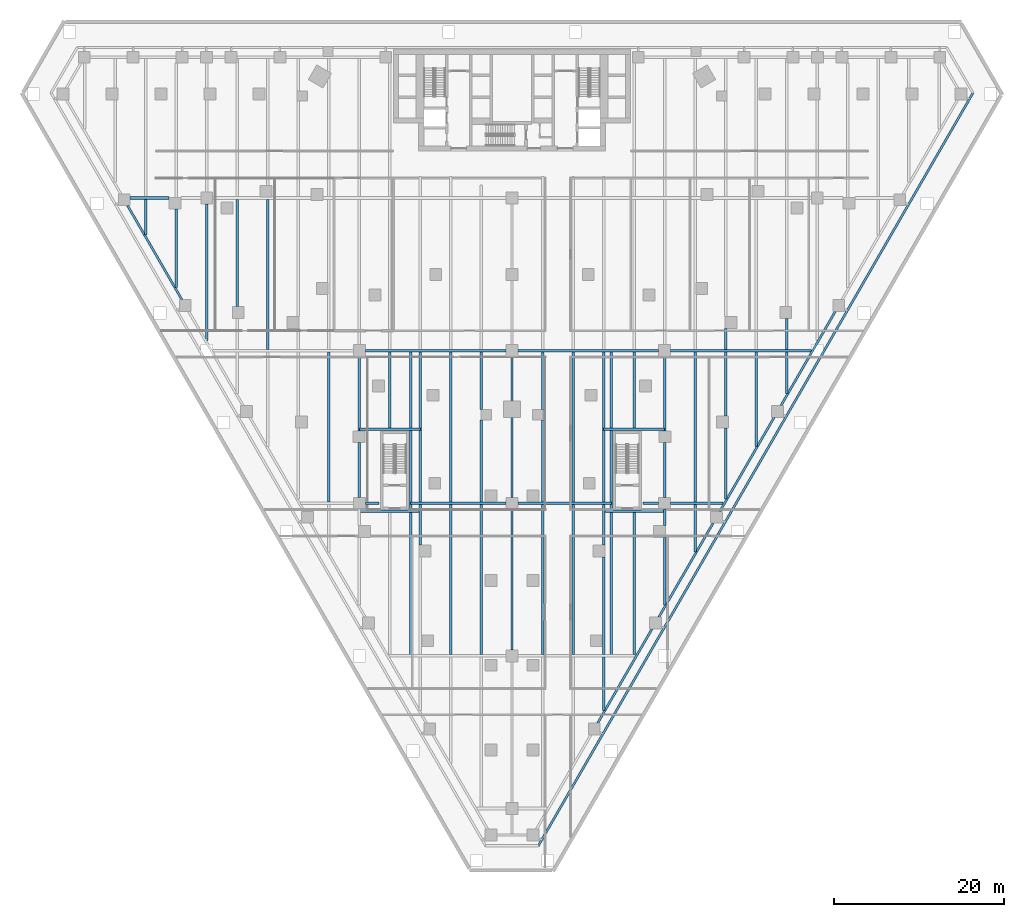
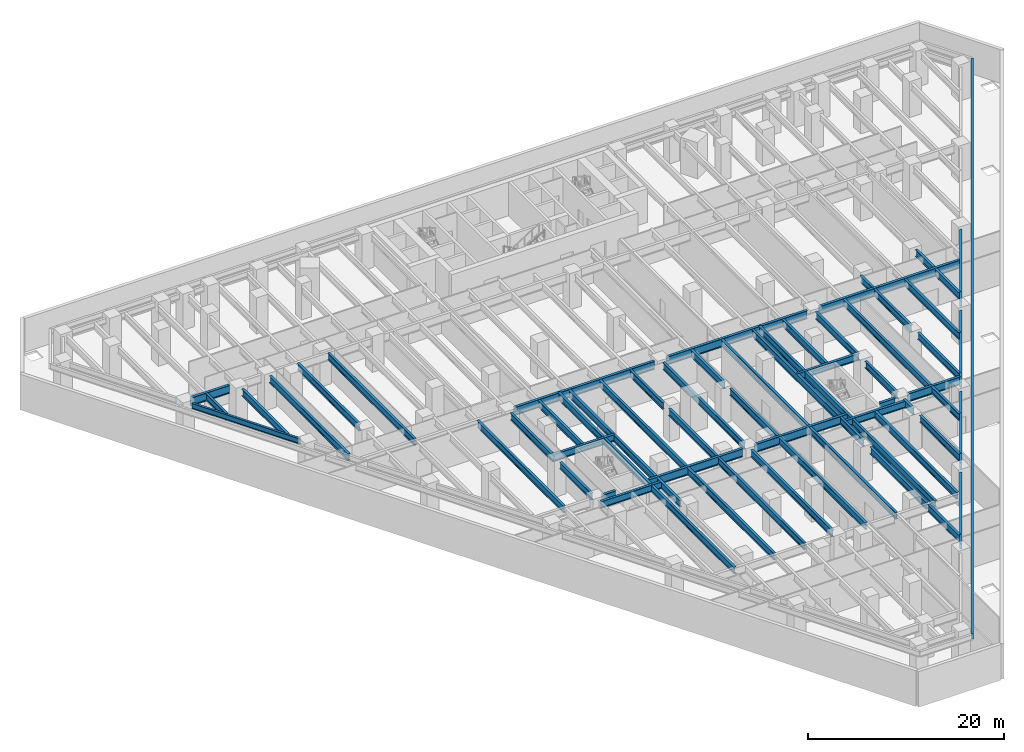
# One storey, part 2 of 20: 62 beams.
"""IFC4 building model written with IfcOpenShell, lengths in metres."""

from ifc_helpers import new_model, si_unit, direction, frame, origin, origin_2d, place, context, subcontext, project, spatial, i_section, extrude, material, material_profile, profile_set, type_object, element, save


model = new_model("IFC4")

# Units and contexts
model_context = context("Model", 3, precision=1e-05, world=origin(), true_north=direction((0.0, 1.0)))
body_context = subcontext(model_context, "Body", "Model", "MODEL_VIEW")
ifc_project = project(units=[si_unit("LENGTHUNIT", "METRE"), si_unit("AREAUNIT", "SQUARE_METRE"), si_unit("VOLUMEUNIT", "CUBIC_METRE"), si_unit("PLANEANGLEUNIT", "RADIAN"), si_unit("MASSUNIT", "GRAM", prefix="KILO")], contexts=[model_context])

# Site, building, storey
site_placement = place(None, origin())
site = spatial("IfcSite", under=ifc_project, at=site_placement, CompositionType="ELEMENT")
building_placement = place(site_placement, origin())
building = spatial("IfcBuilding", under=site, at=building_placement, Name="Aloe Facet Convention Tower", CompositionType="ELEMENT")
storey_placement = place(building_placement, frame((0.0, 0.0, -4.5)))
storey = spatial("IfcBuildingStorey", under=building, at=storey_placement, Name="B1", CompositionType="ELEMENT", Elevation=-4.5)

# Beams
ifc_material_1 = material(Name="Steel S355", Category="steel")
ifc_material_profile_1 = material_profile(ifc_material_1, i_section(OverallWidth=0.25439453125, OverallDepth=0.6875, WebThickness=0.01318359375, FlangeThickness=0.02099609375, FilletRadius=0.01513671875, at=origin_2d()), Name="UB 686x254x152")
ifc_profile_set_1 = profile_set([ifc_material_profile_1], Name="Steel S355")
beam_type_1 = type_object("IfcBeamType", Name="EV-EB-UB686x254x152", PredefinedType="BEAM", material=ifc_profile_set_1)
beam_1_placement = place(storey_placement, frame((83.10498046875, 40.598876953125, 3.856201171875), z_axis=(0.500002624191, 0.866023888702, 0.0), x_axis=(-0.866023888702, 0.500002624191, 0.0)))
element("IfcBeam", 1, at=beam_1_placement, inside=storey, type_object=beam_type_1, Name="EB-L00-E", PredefinedType="BEAM", context=body_context, shape_type="SweptSolid", body=[
    extrude(i_section(OverallWidth=0.25439453125, OverallDepth=0.6875, WebThickness=0.01318359375, FlangeThickness=0.02099609375, FilletRadius=0.01513671875, at=origin_2d()), origin(), (0.0, 0.0, 1.0), 102.53515625),
])
ifc_material_2 = material(Name="Steel S355", Category="steel")
ifc_material_profile_2 = material_profile(ifc_material_2, i_section(OverallWidth=0.305419921875, OverallDepth=1.02587890625, WebThickness=0.02001953125, FlangeThickness=0.031005859375, FilletRadius=0.030029296875, at=origin_2d()), Name="UB 1016x305x349")
ifc_profile_set_2 = profile_set([ifc_material_profile_2], Name="Steel S355")
beam_type_2 = type_object("IfcBeamType", Name="SF-B-UB1016x305x349", PredefinedType="BEAM", material=ifc_profile_set_2)
beam_2_placement = place(storey_placement, frame((34.9580078125, 117.0, 3.68701171875), z_axis=(1.0, 0.0, 0.0), x_axis=(0.0, 1.0, 0.0)))
element("IfcBeam", 2, at=beam_2_placement, inside=storey, type_object=beam_type_2, Name="Floor beam FB-L00-030", PredefinedType="BEAM", context=body_context, shape_type="SweptSolid", body=[
    extrude(i_section(OverallWidth=0.305419921875, OverallDepth=1.02587890625, WebThickness=0.02001953125, FlangeThickness=0.031005859375, FilletRadius=0.030029296875, at=origin_2d()), origin(), (0.0, 0.0, 1.0), 4.612060546875),
])
beam_3_placement = place(storey_placement, frame((62.699951171875, 81.0, 3.68701171875), z_axis=(1.0, 0.0, 0.0), x_axis=(0.0, 1.0, 0.0)))
element("IfcBeam", 3, at=beam_3_placement, inside=storey, type_object=beam_type_2, Name="Floor beam FB-L00-036", PredefinedType="BEAM", context=body_context, shape_type="SweptSolid", body=[
    extrude(i_section(OverallWidth=0.305419921875, OverallDepth=1.02587890625, WebThickness=0.02001953125, FlangeThickness=0.031005859375, FilletRadius=0.030029296875, at=origin_2d()), origin(), (0.0, 0.0, 1.0), 1.60009765625),
])
beam_4_placement = place(storey_placement, frame((62.699951171875, 99.0, 3.68701171875), z_axis=(1.0, 0.0, 0.0), x_axis=(0.0, 1.0, 0.0)))
element("IfcBeam", 4, at=beam_4_placement, inside=storey, type_object=beam_type_2, Name="Floor beam FB-L00-037", PredefinedType="BEAM", context=body_context, shape_type="SweptSolid", body=[
    extrude(i_section(OverallWidth=0.305419921875, OverallDepth=1.02587890625, WebThickness=0.02001953125, FlangeThickness=0.031005859375, FilletRadius=0.030029296875, at=origin_2d()), origin(), (0.0, 0.0, 1.0), 16.60009765625),
])
beam_5_placement = place(storey_placement, frame((68.050048828125, 81.0, 3.68701171875), z_axis=(1.0, 0.0, 0.0), x_axis=(0.0, 1.0, 0.0)))
element("IfcBeam", 5, at=beam_5_placement, inside=storey, type_object=beam_type_2, Name="Floor beam FB-L00-039", PredefinedType="BEAM", context=body_context, shape_type="SweptSolid", body=[
    extrude(i_section(OverallWidth=0.305419921875, OverallDepth=1.02587890625, WebThickness=0.02001953125, FlangeThickness=0.031005859375, FilletRadius=0.030029296875, at=origin_2d()), origin(), (0.0, 0.0, 1.0), 11.25),
])
beam_6_placement = place(storey_placement, frame((80.699951171875, 81.0, 3.68701171875), z_axis=(1.0, 0.0, 0.0), x_axis=(0.0, 1.0, 0.0)))
element("IfcBeam", 6, at=beam_6_placement, inside=storey, type_object=beam_type_2, Name="Floor beam FB-L00-043", PredefinedType="BEAM", context=body_context, shape_type="SweptSolid", body=[
    extrude(i_section(OverallWidth=0.305419921875, OverallDepth=1.02587890625, WebThickness=0.02001953125, FlangeThickness=0.031005859375, FilletRadius=0.030029296875, at=origin_2d()), origin(), (0.0, 0.0, 1.0), 11.025146484375),
])
beam_7_placement = place(storey_placement, frame((80.699951171875, 99.0, 3.68701171875), z_axis=(1.0, 0.0, 0.0), x_axis=(0.0, 1.0, 0.0)))
element("IfcBeam", 7, at=beam_7_placement, inside=storey, type_object=beam_type_2, Name="Floor beam FB-L00-044", PredefinedType="BEAM", context=body_context, shape_type="SweptSolid", body=[
    extrude(i_section(OverallWidth=0.305419921875, OverallDepth=1.02587890625, WebThickness=0.02001953125, FlangeThickness=0.031005859375, FilletRadius=0.030029296875, at=origin_2d()), origin(), (0.0, 0.0, 1.0), 16.60009765625),
])
beam_8_placement = place(storey_placement, frame((95.47509765625, 81.0, 3.68701171875), z_axis=(1.0, 0.0, 0.0), x_axis=(0.0, 1.0, 0.0)))
element("IfcBeam", 8, at=beam_8_placement, inside=storey, type_object=beam_type_2, Name="Floor beam FB-L00-046", PredefinedType="BEAM", context=body_context, shape_type="SweptSolid", body=[
    extrude(i_section(OverallWidth=0.305419921875, OverallDepth=1.02587890625, WebThickness=0.02001953125, FlangeThickness=0.031005859375, FilletRadius=0.030029296875, at=origin_2d()), origin(), (0.0, 0.0, 1.0), 1.824951171875),
])
beam_9_placement = place(storey_placement, frame((98.699951171875, 81.0, 3.68701171875), z_axis=(1.0, 0.0, 0.0), x_axis=(0.0, 1.0, 0.0)))
element("IfcBeam", 9, at=beam_9_placement, inside=storey, type_object=beam_type_2, Name="Floor beam FB-L00-047", PredefinedType="BEAM", context=body_context, shape_type="SweptSolid", body=[
    extrude(i_section(OverallWidth=0.305419921875, OverallDepth=1.02587890625, WebThickness=0.02001953125, FlangeThickness=0.031005859375, FilletRadius=0.030029296875, at=origin_2d()), origin(), (0.0, 0.0, 1.0), 6.217041015625),
])
beam_10_placement = place(storey_placement, frame((98.699951171875, 99.0, 3.68701171875), z_axis=(1.0, 0.0, 0.0), x_axis=(0.0, 1.0, 0.0)))
element("IfcBeam", 10, at=beam_10_placement, inside=storey, type_object=beam_type_2, Name="Floor beam FB-L00-048", PredefinedType="BEAM", context=body_context, shape_type="SweptSolid", body=[
    extrude(i_section(OverallWidth=0.305419921875, OverallDepth=1.02587890625, WebThickness=0.02001953125, FlangeThickness=0.031005859375, FilletRadius=0.030029296875, at=origin_2d()), origin(), (0.0, 0.0, 1.0), 16.609375),
])
ifc_material_3 = material(Name="Steel S355", Category="steel")
ifc_material_profile_3 = material_profile(ifc_material_3, i_section(OverallWidth=0.25439453125, OverallDepth=0.6875, WebThickness=0.01318359375, FlangeThickness=0.02099609375, FilletRadius=0.01513671875, at=origin_2d()), Name="UB 686x254x152")
ifc_profile_set_3 = profile_set([ifc_material_profile_3], Name="Steel S355")
beam_type_3 = type_object("IfcBeamType", Name="SF-B-UB686x254x152", PredefinedType="BEAM", material=ifc_profile_set_3)
beam_11_placement = place(storey_placement, frame((41.06201171875, 105.012939453125, 3.856201171875), z_axis=(-0.499987149722, 0.866032822769, 0.0), x_axis=(-0.866032822769, -0.499987149722, 0.0)))
element("IfcBeam", 11, at=beam_11_placement, inside=storey, type_object=beam_type_3, Name="Floor beam FB-L00-005", PredefinedType="BEAM", context=body_context, shape_type="SweptSolid", body=[
    extrude(i_section(OverallWidth=0.25439453125, OverallDepth=0.6875, WebThickness=0.01318359375, FlangeThickness=0.02099609375, FilletRadius=0.01513671875, at=origin_2d()), origin(), (0.0, 0.0, 1.0), 12.801025390625),
])
beam_12_placement = place(storey_placement, frame((96.50439453125, 66.156982421875, 3.856201171875), z_axis=(-0.499999833739, -0.866025499775, 0.0), x_axis=(0.866025499775, -0.499999833739, 0.0)))
element("IfcBeam", 12, at=beam_12_placement, inside=storey, type_object=beam_type_3, Name="Floor beam FB-L00-018", PredefinedType="BEAM", context=body_context, shape_type="SweptSolid", body=[
    extrude(i_section(OverallWidth=0.25439453125, OverallDepth=0.6875, WebThickness=0.01318359375, FlangeThickness=0.02099609375, FilletRadius=0.01513671875, at=origin_2d()), origin(), (0.0, 0.0, 1.0), 12.7998046875),
])
beam_13_placement = place(storey_placement, frame((103.713134765625, 78.64306640625, 3.856201171875), z_axis=(-0.499987149722, -0.866032822769, 0.0), x_axis=(0.866032822769, -0.499987149722, 0.0)))
element("IfcBeam", 13, at=beam_13_placement, inside=storey, type_object=beam_type_3, Name="Floor beam FB-L00-019", PredefinedType="BEAM", context=body_context, shape_type="SweptSolid", body=[
    extrude(i_section(OverallWidth=0.25439453125, OverallDepth=0.6875, WebThickness=0.01318359375, FlangeThickness=0.02099609375, FilletRadius=0.01513671875, at=origin_2d()), origin(), (0.0, 0.0, 1.0), 12.801025390625),
])
for number, where, z_axis, x_axis, name in (
    (14, (110.92138671875, 91.1279296875, 3.856201171875), (-0.499999833739, -0.866025499775, 0.0), (0.866025499775, -0.499999833739, 0.0), "Floor beam FB-L00-021"),
    (15, (118.129638671875, 103.613037109375, 3.856201171875), (-0.499999833739, -0.866025499775, 0.0), (0.866025499775, -0.499999833739, 0.0), "Floor beam FB-L00-024"),
):
    element("IfcBeam", number, at=place(storey_placement, frame(where, z_axis=z_axis, x_axis=x_axis)), inside=storey, type_object=beam_type_3, Name=name, PredefinedType="BEAM", context=body_context, shape_type="SweptSolid", body=[
        extrude(i_section(OverallWidth=0.25439453125, OverallDepth=0.6875, WebThickness=0.01318359375, FlangeThickness=0.02099609375, FilletRadius=0.01513671875, at=origin_2d()), origin(), (0.0, 0.0, 1.0), 12.7998046875),
    ])
ifc_material_4 = material(Name="Steel S355", Category="steel")
ifc_material_profile_4 = material_profile(ifc_material_4, i_section(OverallWidth=0.293701171875, OverallDepth=0.850830078125, WebThickness=0.01611328125, FlangeThickness=0.02685546875, FilletRadius=0.017822265625, at=origin_2d()), Name="UB 838x292x226")
ifc_profile_set_4 = profile_set([ifc_material_profile_4], Name="Steel S355")
beam_type_4 = type_object("IfcBeamType", Name="SF-B-UB838x292x226", PredefinedType="BEAM", material=ifc_profile_set_4)
beam_14_placement = place(storey_placement, frame((36.800048828125, 112.65966796875, 3.774658203125), z_axis=(0.0, 1.0, 0.0), x_axis=(-1.0, 0.0, 0.0)))
element("IfcBeam", 16, at=beam_14_placement, inside=storey, type_object=beam_type_4, Name="Floor beam FB-L00-055", PredefinedType="BEAM", context=body_context, shape_type="SweptSolid", body=[
    extrude(i_section(OverallWidth=0.293701171875, OverallDepth=0.850830078125, WebThickness=0.01611328125, FlangeThickness=0.02685546875, FilletRadius=0.017822265625, at=origin_2d()), origin(), (0.0, 0.0, 1.0), 4.187744140625),
])
beam_15_placement = place(storey_placement, frame((40.39990234375, 106.42431640625, 3.774658203125), z_axis=(0.0, 1.0, 0.0), x_axis=(-1.0, 0.0, 0.0)))
element("IfcBeam", 17, at=beam_15_placement, inside=storey, type_object=beam_type_4, Name="Floor beam FB-L00-057", PredefinedType="BEAM", context=body_context, shape_type="SweptSolid", body=[
    extrude(i_section(OverallWidth=0.293701171875, OverallDepth=0.850830078125, WebThickness=0.01611328125, FlangeThickness=0.02685546875, FilletRadius=0.017822265625, at=origin_2d()), origin(), (0.0, 0.0, 1.0), 9.2607421875),
])
beam_16_placement = place(storey_placement, frame((44.0, 100.18896484375, 3.774658203125), z_axis=(0.0, 1.0, 0.0), x_axis=(-1.0, 0.0, 0.0)))
element("IfcBeam", 18, at=beam_16_placement, inside=storey, type_object=beam_type_4, Name="Floor beam FB-L00-059", PredefinedType="BEAM", context=body_context, shape_type="SweptSolid", body=[
    extrude(i_section(OverallWidth=0.293701171875, OverallDepth=0.850830078125, WebThickness=0.01611328125, FlangeThickness=0.02685546875, FilletRadius=0.017822265625, at=origin_2d()), origin(), (0.0, 0.0, 1.0), 16.111083984375),
])
beam_17_placement = place(storey_placement, frame((47.60009765625, 104.18505859375, 3.774658203125), z_axis=(0.0, 1.0, 0.0), x_axis=(-1.0, 0.0, 0.0)))
element("IfcBeam", 19, at=beam_17_placement, inside=storey, type_object=beam_type_4, Name="Floor beam FB-L00-064", PredefinedType="BEAM", context=body_context, shape_type="SweptSolid", body=[
    extrude(i_section(OverallWidth=0.293701171875, OverallDepth=0.850830078125, WebThickness=0.01611328125, FlangeThickness=0.02685546875, FilletRadius=0.017822265625, at=origin_2d()), origin(), (0.0, 0.0, 1.0), 12.662353515625),
])
for number, where, z_axis, x_axis, name in (
    (20, (51.199951171875, 99.152587890625, 3.774658203125), (0.0, 1.0, 0.0), (-1.0, 0.0, 0.0), "Floor beam FB-L00-067"),
    (21, (58.39990234375, 81.152587890625, 3.774658203125), (0.0, 1.0, 0.0), (-1.0, 0.0, 0.0), "Floor beam FB-L00-076"),
):
    element("IfcBeam", number, at=place(storey_placement, frame(where, z_axis=z_axis, x_axis=x_axis)), inside=storey, type_object=beam_type_4, Name=name, PredefinedType="BEAM", context=body_context, shape_type="SweptSolid", body=[
        extrude(i_section(OverallWidth=0.293701171875, OverallDepth=0.850830078125, WebThickness=0.01611328125, FlangeThickness=0.02685546875, FilletRadius=0.017822265625, at=origin_2d()), origin(), (0.0, 0.0, 1.0), 17.69482421875),
    ])
beam_18_placement = place(storey_placement, frame((62.0, 80.050048828125, 3.774658203125), z_axis=(1.0, 0.0, 0.0), x_axis=(0.0, 1.0, 0.0)))
element("IfcBeam", 22, at=beam_18_placement, inside=storey, type_object=beam_type_4, Name="Floor beam FB-L00-081", PredefinedType="BEAM", context=body_context, shape_type="SweptSolid", body=[
    extrude(i_section(OverallWidth=0.293701171875, OverallDepth=0.850830078125, WebThickness=0.01611328125, FlangeThickness=0.02685546875, FilletRadius=0.017822265625, at=origin_2d()), origin(), (0.0, 0.0, 1.0), 7.199951171875),
])
beam_19_placement = place(storey_placement, frame((62.0, 81.699951171875, 3.774658203125), z_axis=(0.0, 1.0, 0.0), x_axis=(-1.0, 0.0, 0.0)))
element("IfcBeam", 23, at=beam_19_placement, inside=storey, type_object=beam_type_4, Name="Floor beam FB-L00-082", PredefinedType="BEAM", context=body_context, shape_type="SweptSolid", body=[
    extrude(i_section(OverallWidth=0.293701171875, OverallDepth=0.850830078125, WebThickness=0.01611328125, FlangeThickness=0.02685546875, FilletRadius=0.017822265625, at=origin_2d()), origin(), (0.0, 0.0, 1.0), 6.445068359375),
])
beam_20_placement = place(storey_placement, frame((62.0, 89.544921875, 3.774658203125), z_axis=(0.0, 1.0, 0.0), x_axis=(-1.0, 0.0, 0.0)))
element("IfcBeam", 24, at=beam_20_placement, inside=storey, type_object=beam_type_4, Name="Floor beam FB-L00-083", PredefinedType="BEAM", context=body_context, shape_type="SweptSolid", body=[
    extrude(i_section(OverallWidth=0.293701171875, OverallDepth=0.850830078125, WebThickness=0.01611328125, FlangeThickness=0.02685546875, FilletRadius=0.017822265625, at=origin_2d()), origin(), (0.0, 0.0, 1.0), 8.755126953125),
])
beam_21_placement = place(storey_placement, frame((62.0, 89.75, 3.774658203125), z_axis=(1.0, 0.0, 0.0), x_axis=(0.0, 1.0, 0.0)))
element("IfcBeam", 25, at=beam_21_placement, inside=storey, type_object=beam_type_4, Name="Floor beam FB-L00-084", PredefinedType="BEAM", context=body_context, shape_type="SweptSolid", body=[
    extrude(i_section(OverallWidth=0.293701171875, OverallDepth=0.850830078125, WebThickness=0.01611328125, FlangeThickness=0.02685546875, FilletRadius=0.017822265625, at=origin_2d()), origin(), (0.0, 0.0, 1.0), 7.199951171875),
])
beam_22_placement = place(storey_placement, frame((65.60009765625, 89.75, 3.774658203125), z_axis=(0.0, 1.0, 0.0), x_axis=(-1.0, 0.0, 0.0)))
element("IfcBeam", 26, at=beam_22_placement, inside=storey, type_object=beam_type_4, Name="Floor beam FB-L00-088", PredefinedType="BEAM", context=body_context, shape_type="SweptSolid", body=[
    extrude(i_section(OverallWidth=0.293701171875, OverallDepth=0.850830078125, WebThickness=0.01611328125, FlangeThickness=0.02685546875, FilletRadius=0.017822265625, at=origin_2d()), origin(), (0.0, 0.0, 1.0), 9.097412109375),
])
beam_23_placement = place(storey_placement, frame((68.050048828125, 63.0, 3.774658203125), z_axis=(0.0, 1.0, 0.0), x_axis=(-1.0, 0.0, 0.0)))
element("IfcBeam", 27, at=beam_23_placement, inside=storey, type_object=beam_type_4, Name="Floor beam FB-L00-091", PredefinedType="BEAM", context=body_context, shape_type="SweptSolid", body=[
    extrude(i_section(OverallWidth=0.293701171875, OverallDepth=0.850830078125, WebThickness=0.01611328125, FlangeThickness=0.02685546875, FilletRadius=0.017822265625, at=origin_2d()), origin(), (0.0, 0.0, 1.0), 36.0),
])
beam_24_placement = place(storey_placement, frame((69.199951171875, 76.06591796875, 3.774658203125), z_axis=(0.0, 1.0, 0.0), x_axis=(-1.0, 0.0, 0.0)))
element("IfcBeam", 28, at=beam_24_placement, inside=storey, type_object=beam_type_4, Name="Floor beam FB-L00-094", PredefinedType="BEAM", context=body_context, shape_type="SweptSolid", body=[
    extrude(i_section(OverallWidth=0.293701171875, OverallDepth=0.850830078125, WebThickness=0.01611328125, FlangeThickness=0.02685546875, FilletRadius=0.017822265625, at=origin_2d()), origin(), (0.0, 0.0, 1.0), 4.781494140625),
])
for number, where, z_axis, x_axis, name in (
    (29, (69.199951171875, 81.152587890625, 3.774658203125), (0.0, 1.0, 0.0), (-1.0, 0.0, 0.0), "Floor beam FB-L00-095"),
    (30, (72.800048828125, 63.152587890625, 3.774658203125), (0.0, 1.0, 0.0), (-1.0, 0.0, 0.0), "Floor beam FB-L00-099"),
    (31, (72.800048828125, 81.152587890625, 3.774658203125), (0.0, 1.0, 0.0), (-1.0, 0.0, 0.0), "Floor beam FB-L00-100"),
    (32, (76.39990234375, 63.152587890625, 3.774658203125), (0.0, 1.0, 0.0), (-1.0, 0.0, 0.0), "Floor beam FB-L00-104"),
):
    element("IfcBeam", number, at=place(storey_placement, frame(where, z_axis=z_axis, x_axis=x_axis)), inside=storey, type_object=beam_type_4, Name=name, PredefinedType="BEAM", context=body_context, shape_type="SweptSolid", body=[
        extrude(i_section(OverallWidth=0.293701171875, OverallDepth=0.850830078125, WebThickness=0.01611328125, FlangeThickness=0.02685546875, FilletRadius=0.017822265625, at=origin_2d()), origin(), (0.0, 0.0, 1.0), 17.69482421875),
    ])
beam_25_placement = place(storey_placement, frame((76.39990234375, 81.152587890625, 3.774658203125), z_axis=(0.0, 1.0, 0.0), x_axis=(-1.0, 0.0, 0.0)))
element("IfcBeam", 33, at=beam_25_placement, inside=storey, type_object=beam_type_4, Name="Floor beam FB-L00-105", PredefinedType="BEAM", context=body_context, shape_type="SweptSolid", body=[
    extrude(i_section(OverallWidth=0.293701171875, OverallDepth=0.850830078125, WebThickness=0.01611328125, FlangeThickness=0.02685546875, FilletRadius=0.017822265625, at=origin_2d()), origin(), (0.0, 0.0, 1.0), 9.68994140625),
])
beam_26_placement = place(storey_placement, frame((76.39990234375, 92.04248046875, 3.774658203125), z_axis=(0.0, 1.0, 0.0), x_axis=(-1.0, 0.0, 0.0)))
element("IfcBeam", 34, at=beam_26_placement, inside=storey, type_object=beam_type_4, Name="Floor beam FB-L00-106", PredefinedType="BEAM", context=body_context, shape_type="SweptSolid", body=[
    extrude(i_section(OverallWidth=0.293701171875, OverallDepth=0.850830078125, WebThickness=0.01611328125, FlangeThickness=0.02685546875, FilletRadius=0.017822265625, at=origin_2d()), origin(), (0.0, 0.0, 1.0), 6.804931640625),
])
for number, where, z_axis, x_axis, name in (
    (35, (80.0, 63.699951171875, 3.774658203125), (0.0, 1.0, 0.0), (-1.0, 0.0, 0.0), "Floor beam FB-L00-111"),
    (36, (80.0, 81.699951171875, 3.774658203125), (0.0, 1.0, 0.0), (-1.0, 0.0, 0.0), "Floor beam FB-L00-112"),
):
    element("IfcBeam", number, at=place(storey_placement, frame(where, z_axis=z_axis, x_axis=x_axis)), inside=storey, type_object=beam_type_4, Name=name, PredefinedType="BEAM", context=body_context, shape_type="SweptSolid", body=[
        extrude(i_section(OverallWidth=0.293701171875, OverallDepth=0.850830078125, WebThickness=0.01611328125, FlangeThickness=0.02685546875, FilletRadius=0.017822265625, at=origin_2d()), origin(), (0.0, 0.0, 1.0), 16.60009765625),
    ])
beam_27_placement = place(storey_placement, frame((83.60009765625, 63.152587890625, 3.774658203125), z_axis=(0.0, 1.0, 0.0), x_axis=(-1.0, 0.0, 0.0)))
element("IfcBeam", 37, at=beam_27_placement, inside=storey, type_object=beam_type_4, Name="Floor beam FB-L00-116", PredefinedType="BEAM", context=body_context, shape_type="SweptSolid", body=[
    extrude(i_section(OverallWidth=0.293701171875, OverallDepth=0.850830078125, WebThickness=0.01611328125, FlangeThickness=0.02685546875, FilletRadius=0.017822265625, at=origin_2d()), origin(), (0.0, 0.0, 1.0), 17.69482421875),
])
beam_28_placement = place(storey_placement, frame((83.60009765625, 81.152587890625, 3.774658203125), z_axis=(0.0, 1.0, 0.0), x_axis=(-1.0, 0.0, 0.0)))
element("IfcBeam", 38, at=beam_28_placement, inside=storey, type_object=beam_type_4, Name="Floor beam FB-L00-117", PredefinedType="BEAM", context=body_context, shape_type="SweptSolid", body=[
    extrude(i_section(OverallWidth=0.293701171875, OverallDepth=0.850830078125, WebThickness=0.01611328125, FlangeThickness=0.02685546875, FilletRadius=0.017822265625, at=origin_2d()), origin(), (0.0, 0.0, 1.0), 9.68994140625),
])
beam_29_placement = place(storey_placement, frame((83.60009765625, 92.04248046875, 3.774658203125), z_axis=(0.0, 1.0, 0.0), x_axis=(-1.0, 0.0, 0.0)))
element("IfcBeam", 39, at=beam_29_placement, inside=storey, type_object=beam_type_4, Name="Floor beam FB-L00-118", PredefinedType="BEAM", context=body_context, shape_type="SweptSolid", body=[
    extrude(i_section(OverallWidth=0.293701171875, OverallDepth=0.850830078125, WebThickness=0.01611328125, FlangeThickness=0.02685546875, FilletRadius=0.017822265625, at=origin_2d()), origin(), (0.0, 0.0, 1.0), 6.804931640625),
])
for number, where, z_axis, x_axis, name in (
    (40, (87.199951171875, 63.152587890625, 3.774658203125), (0.0, 1.0, 0.0), (-1.0, 0.0, 0.0), "Floor beam FB-L00-122"),
    (41, (87.199951171875, 81.152587890625, 3.774658203125), (0.0, 1.0, 0.0), (-1.0, 0.0, 0.0), "Floor beam FB-L00-123"),
):
    element("IfcBeam", number, at=place(storey_placement, frame(where, z_axis=z_axis, x_axis=x_axis)), inside=storey, type_object=beam_type_4, Name=name, PredefinedType="BEAM", context=body_context, shape_type="SweptSolid", body=[
        extrude(i_section(OverallWidth=0.293701171875, OverallDepth=0.850830078125, WebThickness=0.01611328125, FlangeThickness=0.02685546875, FilletRadius=0.017822265625, at=origin_2d()), origin(), (0.0, 0.0, 1.0), 17.69482421875),
    ])
beam_30_placement = place(storey_placement, frame((90.800048828125, 56.541259765625, 3.774658203125), z_axis=(0.0, 1.0, 0.0), x_axis=(-1.0, 0.0, 0.0)))
element("IfcBeam", 42, at=beam_30_placement, inside=storey, type_object=beam_type_4, Name="Floor beam FB-L00-126", PredefinedType="BEAM", context=body_context, shape_type="SweptSolid", body=[
    extrude(i_section(OverallWidth=0.293701171875, OverallDepth=0.850830078125, WebThickness=0.01611328125, FlangeThickness=0.02685546875, FilletRadius=0.017822265625, at=origin_2d()), origin(), (0.0, 0.0, 1.0), 6.30615234375),
])
beam_31_placement = place(storey_placement, frame((90.800048828125, 63.152587890625, 3.774658203125), z_axis=(0.0, 1.0, 0.0), x_axis=(-1.0, 0.0, 0.0)))
element("IfcBeam", 43, at=beam_31_placement, inside=storey, type_object=beam_type_4, Name="Floor beam FB-L00-127", PredefinedType="BEAM", context=body_context, shape_type="SweptSolid", body=[
    extrude(i_section(OverallWidth=0.293701171875, OverallDepth=0.850830078125, WebThickness=0.01611328125, FlangeThickness=0.02685546875, FilletRadius=0.017822265625, at=origin_2d()), origin(), (0.0, 0.0, 1.0), 11.513427734375),
])
beam_32_placement = place(storey_placement, frame((90.800048828125, 76.06591796875, 3.774658203125), z_axis=(0.0, 1.0, 0.0), x_axis=(-1.0, 0.0, 0.0)))
element("IfcBeam", 44, at=beam_32_placement, inside=storey, type_object=beam_type_4, Name="Floor beam FB-L00-128", PredefinedType="BEAM", context=body_context, shape_type="SweptSolid", body=[
    extrude(i_section(OverallWidth=0.293701171875, OverallDepth=0.850830078125, WebThickness=0.01611328125, FlangeThickness=0.02685546875, FilletRadius=0.017822265625, at=origin_2d()), origin(), (0.0, 0.0, 1.0), 4.781494140625),
])
beam_33_placement = place(storey_placement, frame((90.800048828125, 80.050048828125, 3.774658203125), z_axis=(1.0, 0.0, 0.0), x_axis=(0.0, 1.0, 0.0)))
element("IfcBeam", 45, at=beam_33_placement, inside=storey, type_object=beam_type_4, Name="Floor beam FB-L00-129", PredefinedType="BEAM", context=body_context, shape_type="SweptSolid", body=[
    extrude(i_section(OverallWidth=0.293701171875, OverallDepth=0.850830078125, WebThickness=0.01611328125, FlangeThickness=0.02685546875, FilletRadius=0.017822265625, at=origin_2d()), origin(), (0.0, 0.0, 1.0), 7.199951171875),
])
beam_34_placement = place(storey_placement, frame((90.800048828125, 81.152587890625, 3.774658203125), z_axis=(0.0, 1.0, 0.0), x_axis=(-1.0, 0.0, 0.0)))
element("IfcBeam", 46, at=beam_34_placement, inside=storey, type_object=beam_type_4, Name="Floor beam FB-L00-130", PredefinedType="BEAM", context=body_context, shape_type="SweptSolid", body=[
    extrude(i_section(OverallWidth=0.293701171875, OverallDepth=0.850830078125, WebThickness=0.01611328125, FlangeThickness=0.02685546875, FilletRadius=0.017822265625, at=origin_2d()), origin(), (0.0, 0.0, 1.0), 17.69482421875),
])
beam_35_placement = place(storey_placement, frame((90.800048828125, 89.75, 3.774658203125), z_axis=(1.0, 0.0, 0.0), x_axis=(0.0, 1.0, 0.0)))
element("IfcBeam", 47, at=beam_35_placement, inside=storey, type_object=beam_type_4, Name="Floor beam FB-L00-131", PredefinedType="BEAM", context=body_context, shape_type="SweptSolid", body=[
    extrude(i_section(OverallWidth=0.293701171875, OverallDepth=0.850830078125, WebThickness=0.01611328125, FlangeThickness=0.02685546875, FilletRadius=0.017822265625, at=origin_2d()), origin(), (0.0, 0.0, 1.0), 7.199951171875),
])
beam_36_placement = place(storey_placement, frame((91.72509765625, 63.0, 3.774658203125), z_axis=(0.0, 1.0, 0.0), x_axis=(-1.0, 0.0, 0.0)))
element("IfcBeam", 48, at=beam_36_placement, inside=storey, type_object=beam_type_4, Name="Floor beam FB-L00-134", PredefinedType="BEAM", context=body_context, shape_type="SweptSolid", body=[
    extrude(i_section(OverallWidth=0.293701171875, OverallDepth=0.850830078125, WebThickness=0.01611328125, FlangeThickness=0.02685546875, FilletRadius=0.017822265625, at=origin_2d()), origin(), (0.0, 0.0, 1.0), 36.0),
])
beam_37_placement = place(storey_placement, frame((94.39990234375, 63.152587890625, 3.774658203125), z_axis=(0.0, 1.0, 0.0), x_axis=(-1.0, 0.0, 0.0)))
element("IfcBeam", 49, at=beam_37_placement, inside=storey, type_object=beam_type_4, Name="Floor beam FB-L00-135", PredefinedType="BEAM", context=body_context, shape_type="SweptSolid", body=[
    extrude(i_section(OverallWidth=0.293701171875, OverallDepth=0.850830078125, WebThickness=0.01611328125, FlangeThickness=0.02685546875, FilletRadius=0.017822265625, at=origin_2d()), origin(), (0.0, 0.0, 1.0), 16.8974609375),
])
beam_38_placement = place(storey_placement, frame((94.39990234375, 89.75, 3.774658203125), z_axis=(0.0, 1.0, 0.0), x_axis=(-1.0, 0.0, 0.0)))
element("IfcBeam", 50, at=beam_38_placement, inside=storey, type_object=beam_type_4, Name="Floor beam FB-L00-136", PredefinedType="BEAM", context=body_context, shape_type="SweptSolid", body=[
    extrude(i_section(OverallWidth=0.293701171875, OverallDepth=0.850830078125, WebThickness=0.01611328125, FlangeThickness=0.02685546875, FilletRadius=0.017822265625, at=origin_2d()), origin(), (0.0, 0.0, 1.0), 9.097412109375),
])
beam_39_placement = place(storey_placement, frame((98.0, 69.011962890625, 3.774658203125), z_axis=(0.0, 1.0, 0.0), x_axis=(-1.0, 0.0, 0.0)))
element("IfcBeam", 51, at=beam_39_placement, inside=storey, type_object=beam_type_4, Name="Floor beam FB-L00-139", PredefinedType="BEAM", context=body_context, shape_type="SweptSolid", body=[
    extrude(i_section(OverallWidth=0.293701171875, OverallDepth=0.850830078125, WebThickness=0.01611328125, FlangeThickness=0.02685546875, FilletRadius=0.017822265625, at=origin_2d()), origin(), (0.0, 0.0, 1.0), 7.97412109375),
])
beam_40_placement = place(storey_placement, frame((98.0, 78.385986328125, 3.774658203125), z_axis=(0.0, 1.0, 0.0), x_axis=(-1.0, 0.0, 0.0)))
element("IfcBeam", 52, at=beam_40_placement, inside=storey, type_object=beam_type_4, Name="Floor beam FB-L00-140", PredefinedType="BEAM", context=body_context, shape_type="SweptSolid", body=[
    extrude(i_section(OverallWidth=0.293701171875, OverallDepth=0.850830078125, WebThickness=0.01611328125, FlangeThickness=0.02685546875, FilletRadius=0.017822265625, at=origin_2d()), origin(), (0.0, 0.0, 1.0), 1.9140625),
])
beam_41_placement = place(storey_placement, frame((98.0, 81.699951171875, 3.774658203125), z_axis=(0.0, 1.0, 0.0), x_axis=(-1.0, 0.0, 0.0)))
element("IfcBeam", 53, at=beam_41_placement, inside=storey, type_object=beam_type_4, Name="Floor beam FB-L00-141", PredefinedType="BEAM", context=body_context, shape_type="SweptSolid", body=[
    extrude(i_section(OverallWidth=0.293701171875, OverallDepth=0.850830078125, WebThickness=0.01611328125, FlangeThickness=0.02685546875, FilletRadius=0.017822265625, at=origin_2d()), origin(), (0.0, 0.0, 1.0), 6.445068359375),
])
beam_42_placement = place(storey_placement, frame((98.0, 89.544921875, 3.774658203125), z_axis=(0.0, 1.0, 0.0), x_axis=(-1.0, 0.0, 0.0)))
element("IfcBeam", 54, at=beam_42_placement, inside=storey, type_object=beam_type_4, Name="Floor beam FB-L00-142", PredefinedType="BEAM", context=body_context, shape_type="SweptSolid", body=[
    extrude(i_section(OverallWidth=0.293701171875, OverallDepth=0.850830078125, WebThickness=0.01611328125, FlangeThickness=0.02685546875, FilletRadius=0.017822265625, at=origin_2d()), origin(), (0.0, 0.0, 1.0), 8.755126953125),
])
beam_43_placement = place(storey_placement, frame((101.60009765625, 75.247314453125, 3.774658203125), z_axis=(0.0, 1.0, 0.0), x_axis=(-1.0, 0.0, 0.0)))
element("IfcBeam", 55, at=beam_43_placement, inside=storey, type_object=beam_type_4, Name="Floor beam FB-L00-145", PredefinedType="BEAM", context=body_context, shape_type="SweptSolid", body=[
    extrude(i_section(OverallWidth=0.293701171875, OverallDepth=0.850830078125, WebThickness=0.01611328125, FlangeThickness=0.02685546875, FilletRadius=0.017822265625, at=origin_2d()), origin(), (0.0, 0.0, 1.0), 5.60009765625),
])
beam_44_placement = place(storey_placement, frame((101.60009765625, 81.152587890625, 3.774658203125), z_axis=(0.0, 1.0, 0.0), x_axis=(-1.0, 0.0, 0.0)))
element("IfcBeam", 56, at=beam_44_placement, inside=storey, type_object=beam_type_4, Name="Floor beam FB-L00-146", PredefinedType="BEAM", context=body_context, shape_type="SweptSolid", body=[
    extrude(i_section(OverallWidth=0.293701171875, OverallDepth=0.850830078125, WebThickness=0.01611328125, FlangeThickness=0.02685546875, FilletRadius=0.017822265625, at=origin_2d()), origin(), (0.0, 0.0, 1.0), 17.69482421875),
])
beam_45_placement = place(storey_placement, frame((105.199951171875, 81.482666015625, 3.774658203125), z_axis=(0.0, 1.0, 0.0), x_axis=(-1.0, 0.0, 0.0)))
element("IfcBeam", 57, at=beam_45_placement, inside=storey, type_object=beam_type_4, Name="Floor beam FB-L00-149", PredefinedType="BEAM", context=body_context, shape_type="SweptSolid", body=[
    extrude(i_section(OverallWidth=0.293701171875, OverallDepth=0.850830078125, WebThickness=0.01611328125, FlangeThickness=0.02685546875, FilletRadius=0.017822265625, at=origin_2d()), origin(), (0.0, 0.0, 1.0), 8.40234375),
])
beam_46_placement = place(storey_placement, frame((105.199951171875, 91.284912109375, 3.774658203125), z_axis=(0.0, 1.0, 0.0), x_axis=(-1.0, 0.0, 0.0)))
element("IfcBeam", 58, at=beam_46_placement, inside=storey, type_object=beam_type_4, Name="Floor beam FB-L00-150", PredefinedType="BEAM", context=body_context, shape_type="SweptSolid", body=[
    extrude(i_section(OverallWidth=0.293701171875, OverallDepth=0.850830078125, WebThickness=0.01611328125, FlangeThickness=0.02685546875, FilletRadius=0.017822265625, at=origin_2d()), origin(), (0.0, 0.0, 1.0), 7.5625),
])
beam_47_placement = place(storey_placement, frame((105.199951171875, 99.152587890625, 3.774658203125), z_axis=(0.0, 1.0, 0.0), x_axis=(-1.0, 0.0, 0.0)))
element("IfcBeam", 59, at=beam_47_placement, inside=storey, type_object=beam_type_4, Name="Floor beam FB-L00-151", PredefinedType="BEAM", context=body_context, shape_type="SweptSolid", body=[
    extrude(i_section(OverallWidth=0.293701171875, OverallDepth=0.850830078125, WebThickness=0.01611328125, FlangeThickness=0.02685546875, FilletRadius=0.017822265625, at=origin_2d()), origin(), (0.0, 0.0, 1.0), 2.472412109375),
])
beam_48_placement = place(storey_placement, frame((108.800048828125, 87.718017578125, 3.774658203125), z_axis=(0.0, 1.0, 0.0), x_axis=(-1.0, 0.0, 0.0)))
element("IfcBeam", 60, at=beam_48_placement, inside=storey, type_object=beam_type_4, Name="Floor beam FB-L00-155", PredefinedType="BEAM", context=body_context, shape_type="SweptSolid", body=[
    extrude(i_section(OverallWidth=0.293701171875, OverallDepth=0.850830078125, WebThickness=0.01611328125, FlangeThickness=0.02685546875, FilletRadius=0.017822265625, at=origin_2d()), origin(), (0.0, 0.0, 1.0), 11.12939453125),
])
beam_49_placement = place(storey_placement, frame((112.39990234375, 93.95361328125, 3.774658203125), z_axis=(0.0, 1.0, 0.0), x_axis=(-1.0, 0.0, 0.0)))
element("IfcBeam", 61, at=beam_49_placement, inside=storey, type_object=beam_type_4, Name="Floor beam FB-L00-158", PredefinedType="BEAM", context=body_context, shape_type="SweptSolid", body=[
    extrude(i_section(OverallWidth=0.293701171875, OverallDepth=0.850830078125, WebThickness=0.01611328125, FlangeThickness=0.02685546875, FilletRadius=0.017822265625, at=origin_2d()), origin(), (0.0, 0.0, 1.0), 4.893798828125),
])
beam_50_placement = place(storey_placement, frame((112.39990234375, 99.152587890625, 3.774658203125), z_axis=(0.0, 1.0, 0.0), x_axis=(-1.0, 0.0, 0.0)))
element("IfcBeam", 62, at=beam_50_placement, inside=storey, type_object=beam_type_4, Name="Floor beam FB-L00-159", PredefinedType="BEAM", context=body_context, shape_type="SweptSolid", body=[
    extrude(i_section(OverallWidth=0.293701171875, OverallDepth=0.850830078125, WebThickness=0.01611328125, FlangeThickness=0.02685546875, FilletRadius=0.017822265625, at=origin_2d()), origin(), (0.0, 0.0, 1.0), 3.63232421875),
])

save(model, "model.ifc")
